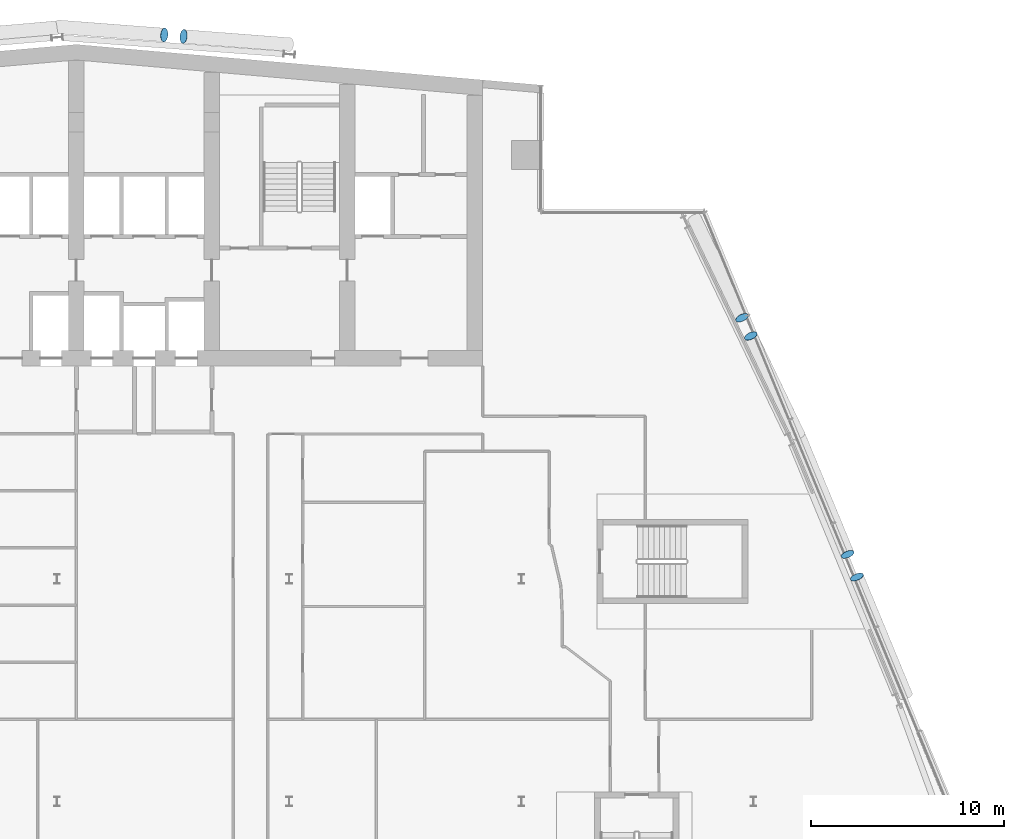
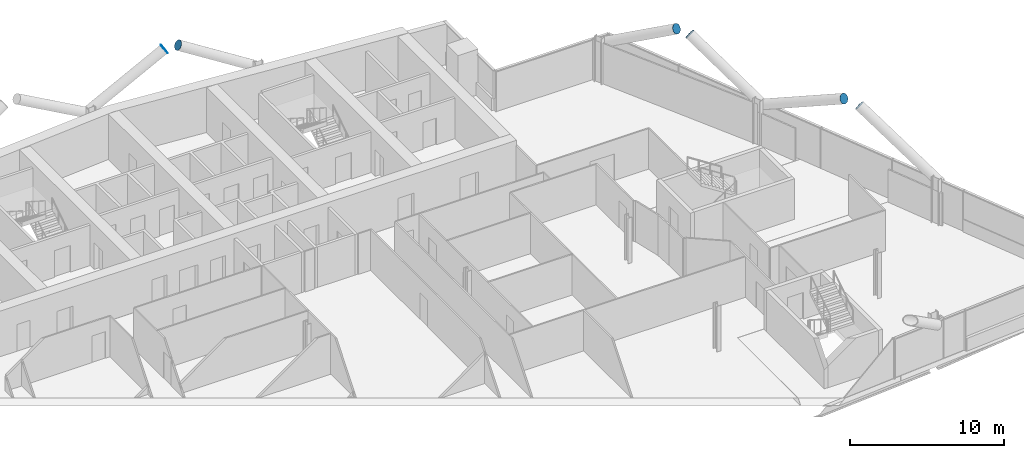
# One storey, part 23 of 26: 6 discrete accessories.
"""IFC4 building model written with IfcOpenShell, lengths in metres."""

from ifc_helpers import new_model, si_unit, direction, frame, origin, origin_2d, place, context, subcontext, project, spatial, circle, extrude, material, material_profile, profile_set, type_object, element, save


model = new_model("IFC4")

# Units and contexts
model_context = context("Model", 3, precision=1e-05, world=origin(), true_north=direction((0.0, 1.0)))
body_context = subcontext(model_context, "Body", "Model", "MODEL_VIEW")
ifc_project = project(units=[si_unit("LENGTHUNIT", "METRE"), si_unit("AREAUNIT", "SQUARE_METRE"), si_unit("VOLUMEUNIT", "CUBIC_METRE"), si_unit("PLANEANGLEUNIT", "RADIAN"), si_unit("MASSUNIT", "GRAM", prefix="KILO")], contexts=[model_context])

# Site, building, storey
site_placement = place(None, origin())
site = spatial("IfcSite", under=ifc_project, at=site_placement, CompositionType="ELEMENT")
building_placement = place(site_placement, origin())
building = spatial("IfcBuilding", under=site, at=building_placement, Name="Wharfspan Tower", CompositionType="ELEMENT")
storey_placement = place(building_placement, frame((0.0, 0.0, 169.899902)))
storey = spatial("IfcBuildingStorey", under=building, at=storey_placement, Name="L41", CompositionType="ELEMENT", Elevation=169.899902)

# Discrete accessories
ifc_material = material(Name="Steel S460NH", Category="steel")
ifc_material_profile = material_profile(ifc_material, circle(Radius=0.355469, at=origin_2d()))
ifc_profile_set = profile_set([ifc_material_profile], Name="Steel S460NH")
discrete_accessory_type = type_object("IfcDiscreteAccessoryType", Name="End plate CHS 711x36", PredefinedType="BRACKET", material=ifc_profile_set)
for number, where, z_axis, x_axis, name in (
    (1, (77.343018, 23.091309, 6.18335), (-0.338259, 0.821486, 0.459066), (-0.924676, -0.380749, 0.0), "End plate CHS 711x36"),
    (2, (76.854248, 24.275146, 6.18335), (0.338259, -0.821486, 0.459066), (0.924676, 0.380749, 0.0), "End plate CHS 711x36"),
    (3, (71.858154, 35.550537, 6.194336), (-0.369386, 0.788024, 0.492515), (-0.905459, -0.424433, -1e-06), "End plate CHS 711x36"),
    (4, (71.401123, 36.504395, 6.194336), (0.369386, -0.788024, 0.492515), (0.905459, 0.424433, -1e-06), "End plate CHS 711x36"),
    (5, (41.533447, 51.114502, 6.197021), (0.855186, -0.073302, 0.513112), (0.085402, 0.996345, -1e-06), "End plate CHS 711x36"),
    (6, (42.543213, 51.037354, 6.197021), (-0.855186, 0.073302, 0.513112), (-0.085402, -0.996345, -1e-06), "End plate CHS 711x36"),
):
    element("IfcDiscreteAccessory", number, at=place(storey_placement, frame(where, z_axis=z_axis, x_axis=x_axis)), inside=storey, type_object=discrete_accessory_type, Name=name, PredefinedType="BRACKET", context=body_context, shape_type="SweptSolid", body=[
        extrude(circle(Radius=0.355469, at=origin_2d()), origin(), (0.0, 0.0, 1.0), 0.01001),
    ])

save(model, "model.ifc")
